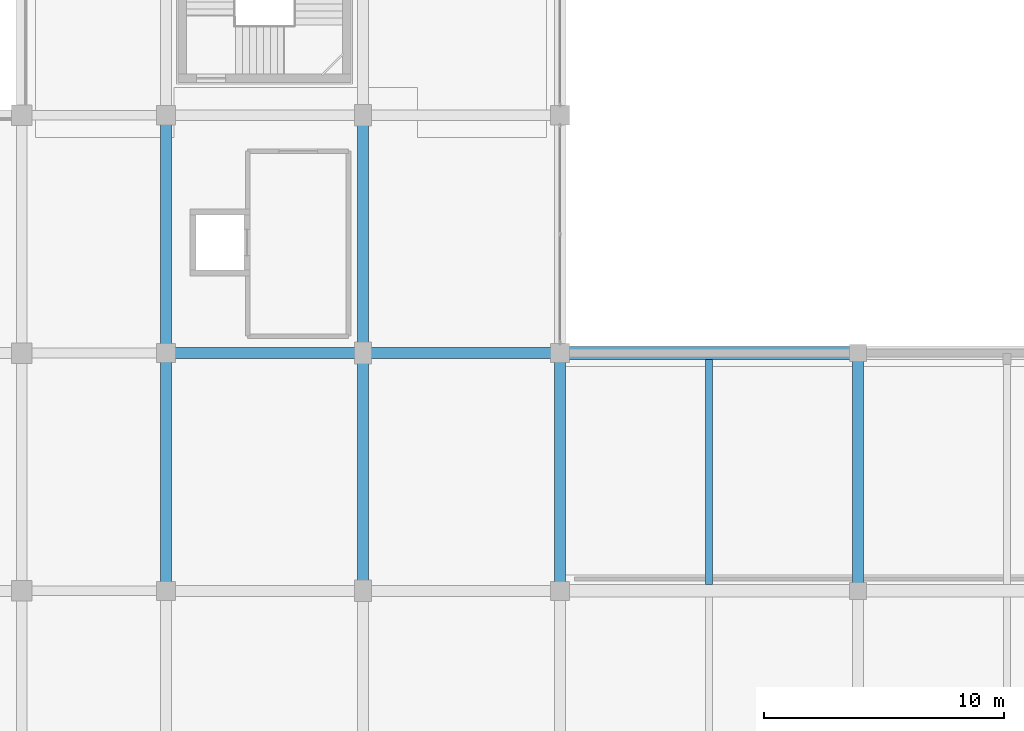
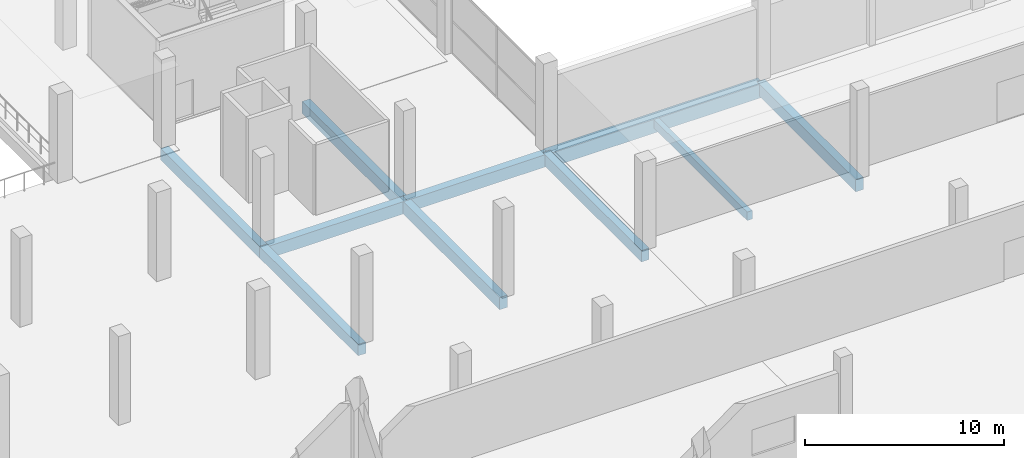
# One storey, part 9 of 74: 10 beams.
"""IFC4 building model written with IfcOpenShell, lengths in metres."""

import ifcopenshell
import ifcopenshell.guid

model = None  # the IFC model being written
_history = None  # IfcOwnerHistory: only IFC2X3 demands one
_inside = {}  # id of a spatial element -> (the spatial element, [elements in it])
_under = {}  # id of a project, library or spatial element -> (it, [spatial elements below it])
_declared = {}  # id of a project -> (the project, [libraries it declares])
_typed = {}  # id of a type object -> (the type object, [elements of that type])
_made_of = {}  # id of a material, layer set ... -> (it, [elements and type objects made of it])


def new_model(schema):
    """Start an empty IFC model of exactly this schema.

    Asked for "IFC4X3", IfcOpenShell would pick the latest addendum, in which some entities
    have other attributes; the version numbers below select the first issue.
    IFC2X3 requires an IfcOwnerHistory on every rooted entity: one is made here for all.
    """
    global model, _history
    if schema == "IFC4X3":
        model = ifcopenshell.file(schema_version=(4, 3, 0, 0))
    else:
        model = ifcopenshell.file(schema=schema)
    _inside.clear()
    _under.clear()
    _declared.clear()
    _typed.clear()
    _made_of.clear()
    _history = None
    if model.schema == "IFC2X3":
        org = make("IfcOrganization", Name="unknown")
        user = make(
            "IfcPersonAndOrganization",
            ThePerson=make("IfcPerson", FamilyName="unknown"),
            TheOrganization=org,
        )
        app = make(
            "IfcApplication",
            ApplicationDeveloper=org,
            Version="unknown",
            ApplicationFullName="unknown",
            ApplicationIdentifier="unknown",
        )
        _history = make(
            "IfcOwnerHistory",
            OwningUser=user,
            OwningApplication=app,
            ChangeAction="ADDED",
            CreationDate=0,
        )
    return model


def make(cls, **values):
    """One entity of the class cls with the attributes given. An attribute that is None is left unset."""
    return model.create_entity(
        cls, **{name: value for name, value in values.items() if value is not None}
    )


def rooted(cls, **values):
    """An entity with a GlobalId (a new one), such as an element, a storey or a relation."""
    return make(cls, GlobalId=ifcopenshell.guid.new(), OwnerHistory=_history, **values)


def si_unit(unit_type, name, prefix=None):
    """IfcSIUnit, for example si_unit("LENGTHUNIT", "METRE", prefix="MILLI")."""
    return make("IfcSIUnit", UnitType=unit_type, Prefix=prefix, Name=name)


def assignment(units):
    """IfcUnitAssignment: the units of a project."""
    return None if units is None else make("IfcUnitAssignment", Units=units)


def point(xyz):
    """IfcCartesianPoint."""
    return None if xyz is None else make("IfcCartesianPoint", Coordinates=xyz)


def direction(xyz):
    """IfcDirection."""
    return None if xyz is None else make("IfcDirection", DirectionRatios=xyz)


def frame(location, z_axis=None, x_axis=None):
    """IfcAxis2Placement3D, a coordinate frame: its origin and axes. An axis left out is left unset."""
    return make(
        "IfcAxis2Placement3D",
        Location=point(location),
        Axis=direction(z_axis),
        RefDirection=direction(x_axis),
    )


def frame_2d(location, x_axis=None):
    """IfcAxis2Placement2D, a coordinate frame in the plane: its origin and x axis."""
    return make(
        "IfcAxis2Placement2D", Location=point(location), RefDirection=direction(x_axis)
    )


def origin():
    """The frame at (0, 0, 0) with its axes left unset."""
    return frame((0.0, 0.0, 0.0))


def origin_2d():
    """The frame at (0, 0) in the plane with its x axis left unset."""
    return frame_2d((0.0, 0.0))


def place(relative_to, where):
    """IfcLocalPlacement: puts the frame where relative to a parent placement (None: the world)."""
    return make(
        "IfcLocalPlacement", PlacementRelTo=relative_to, RelativePlacement=where
    )


def context(
    kind, dimensions, precision=None, world=None, true_north=None, identifier=None
):
    """IfcGeometricRepresentationContext, for example the 3D "Model" context."""
    return make(
        "IfcGeometricRepresentationContext",
        ContextIdentifier=identifier,
        ContextType=kind,
        CoordinateSpaceDimension=dimensions,
        Precision=precision,
        WorldCoordinateSystem=world,
        TrueNorth=true_north,
    )


def subcontext(parent, identifier, kind, view, scale=None):
    """IfcGeometricRepresentationSubContext, for example "Body" below "Model"."""
    return make(
        "IfcGeometricRepresentationSubContext",
        ContextIdentifier=identifier,
        ContextType=kind,
        ParentContext=parent,
        TargetScale=scale,
        TargetView=view,
    )


def project(units=None, contexts=None):
    """IfcProject with its units and contexts."""
    return rooted(
        "IfcProject",
        Name="project",
        RepresentationContexts=contexts,
        UnitsInContext=assignment(units),
    )


def spatial(cls, under=None, at=None, **own):
    """A site, building, storey or space (cls), placed at a placement, below another one or the project."""
    s = rooted(cls, ObjectPlacement=at, **own)
    if under is not None:
        _under.setdefault(under.id(), (under, []))[1].append(s)
    return s


def profile(cls, at=None, kind="AREA", **sizes):
    """A parametric profile (cls). Its sizes go by their IFC names, for example OverallWidth=200.0."""
    return make(cls, ProfileType=kind, Position=at, **sizes)


def rectangle(**sizes):
    """IfcRectangleProfileDef."""
    return profile("IfcRectangleProfileDef", **sizes)


def extrude(swept, where, along, depth):
    """IfcExtrudedAreaSolid: the profile swept, set in the frame where, extruded along a direction by depth."""
    return make(
        "IfcExtrudedAreaSolid",
        SweptArea=swept,
        Position=where,
        ExtrudedDirection=direction(along),
        Depth=depth,
    )


def shape(context_of_items, identifier, shape_type, items):
    """IfcShapeRepresentation: the items that make up one representation, for example the "Body"."""
    return make(
        "IfcShapeRepresentation",
        ContextOfItems=context_of_items,
        RepresentationIdentifier=identifier,
        RepresentationType=shape_type,
        Items=items,
    )


def material(Name=None, Category=None):
    """IfcMaterial."""
    return make("IfcMaterial", Name=Name, Category=Category)


def material_profile(
    of_material, cross_section, Name=None, Category=None, Priority=None
):
    """IfcMaterialProfile: a cross section and its material."""
    return make(
        "IfcMaterialProfile",
        Name=Name,
        Material=of_material,
        Profile=cross_section,
        Priority=Priority,
        Category=Category,
    )


def profile_set(profiles, Name=None, composite=None):
    """IfcMaterialProfileSet."""
    return make(
        "IfcMaterialProfileSet",
        Name=Name,
        MaterialProfiles=profiles,
        CompositeProfile=composite,
    )


def made_of(thing, what):
    """Note that an element or type object is made of a material, layer set ...; save() writes the relation."""
    if what is not None:
        _made_of.setdefault(what.id(), (what, []))[1].append(thing)
    return thing


def type_object(cls, material=None, **own):
    """A type object (cls), such as IfcWallType, which elements share."""
    return made_of(rooted(cls, **own), material)


def element(
    cls,
    number,
    at=None,
    inside=None,
    cuts=None,
    type_object=None,
    material=None,
    context=None,
    identifier="Body",
    shape_type=None,
    held_by="IfcProductDefinitionShape",
    body=None,
    shapes=None,
    **own,
):
    """One element of the class cls, such as IfcWall. Its Tag is "e" and its number.

    at: its placement. inside: the storey or other place that contains it. cuts: it is an
    opening in that element (IfcRelVoidsElement). A single representation is given by context,
    identifier, shape_type and body (its items); several are given by shapes. held_by: the class
    of the entity that holds the representations. save() writes the other relations.
    """
    e = rooted(cls, Tag="e%d" % number, ObjectPlacement=at, **own)
    if body is not None:
        shapes = [shape(context, identifier, shape_type, body)]
    if shapes is not None:
        e.Representation = make(held_by, Representations=shapes)
    if inside is not None:
        _inside.setdefault(inside.id(), (inside, []))[1].append(e)
    if cuts is not None:
        rooted(
            "IfcRelVoidsElement", RelatingBuildingElement=cuts, RelatedOpeningElement=e
        )
    if type_object is not None:
        _typed.setdefault(type_object.id(), (type_object, []))[1].append(e)
    return made_of(e, material)


def aggregate(whole, parts):
    """IfcRelAggregates: a whole, such as a stair, and the parts it consists of."""
    return rooted("IfcRelAggregates", RelatingObject=whole, RelatedObjects=parts)


def save(model, path):
    """Write the relations noted so far, then the file.

    IfcRelAggregates (storeys below a building ...), IfcRelContainedInSpatialStructure (elements
    in a storey), IfcRelDefinesByType, IfcRelAssociatesMaterial and IfcRelDeclares: one each for
    every whole, place, type object, material and project.
    """
    for whole, parts in _under.values():
        aggregate(whole, parts)
    for where, things in _inside.values():
        rooted(
            "IfcRelContainedInSpatialStructure",
            RelatedElements=things,
            RelatingStructure=where,
        )
    for kind, things in _typed.values():
        rooted("IfcRelDefinesByType", RelatedObjects=things, RelatingType=kind)
    for what, things in _made_of.values():
        rooted("IfcRelAssociatesMaterial", RelatedObjects=things, RelatingMaterial=what)
    for by, libraries in _declared.values():
        rooted("IfcRelDeclares", RelatingContext=by, RelatedDefinitions=libraries)
    model.write(path)


model = new_model("IFC4")

# Units and contexts
model_context = context("Model", 3, precision=1e-05, world=origin(), true_north=direction((0.0, 1.0)))
body_context = subcontext(model_context, "Body", "Model", "MODEL_VIEW")
ifc_project = project(units=[si_unit("LENGTHUNIT", "METRE"), si_unit("AREAUNIT", "SQUARE_METRE"), si_unit("VOLUMEUNIT", "CUBIC_METRE"), si_unit("PLANEANGLEUNIT", "RADIAN"), si_unit("MASSUNIT", "GRAM", prefix="KILO")], contexts=[model_context])

# Site, building, storey
site_placement = place(None, origin())
site = spatial("IfcSite", under=ifc_project, at=site_placement, CompositionType="ELEMENT")
building_placement = place(site_placement, origin())
building = spatial("IfcBuilding", under=site, at=building_placement, Name="Sillaruma Civic Art Gallery", CompositionType="ELEMENT")
storey_placement = place(building_placement, frame((0.0, 0.0, 5.43994140625)))
storey = spatial("IfcBuildingStorey", under=building, at=storey_placement, Name="L01", CompositionType="ELEMENT", Elevation=5.43994140625)

# Beams
ifc_material_1 = material(Name="Concrete H40 (40 MPa)", Category="concrete")
ifc_material_profile_1 = material_profile(ifc_material_1, rectangle(XDim=0.449951171875, YDim=0.75, at=origin_2d()), Name="RCB450x750")
ifc_profile_set_1 = profile_set([ifc_material_profile_1], Name="Concrete H40 (40 MPa)")
beam_type_1 = type_object("IfcBeamType", Name="BM-BEAM-RCB450x750", PredefinedType="BEAM", material=ifc_profile_set_1)
for number, where, z_axis, x_axis, name in (
    (1, (98.0, 39.60009765625, -0.635009765625), (1.0, 0.0, 0.0), (0.0, 1.0, 0.0), "Beam BM-03 (L00:5:L-M)"),
    (2, (106.199951171875, 39.60009765625, -0.635009765625), (1.0, 0.0, 0.0), (0.0, 1.0, 0.0), "Beam BM-03 (L00:5:M-N)"),
):
    element("IfcBeam", number, at=place(storey_placement, frame(where, z_axis=z_axis, x_axis=x_axis)), inside=storey, type_object=beam_type_1, Name=name, PredefinedType="BEAM", context=body_context, shape_type="SweptSolid", body=[
        extrude(rectangle(XDim=0.449951171875, YDim=0.75, at=origin_2d()), origin(), (0.0, 0.0, 1.0), 8.199951171875),
    ])
beam_1_placement = place(storey_placement, frame((106.199951171875, 29.699951171875, -0.635009765625), z_axis=(0.0, 1.0, 0.0), x_axis=(-1.0, 0.0, 0.0)))
element("IfcBeam", 3, at=beam_1_placement, inside=storey, type_object=beam_type_1, Name="Beam BM-03 (L00:M:4-5)", PredefinedType="BEAM", context=body_context, shape_type="SweptSolid", body=[
    extrude(rectangle(XDim=0.449951171875, YDim=0.75, at=origin_2d()), origin(), (0.0, 0.0, 1.0), 9.900146484375),
])
beam_2_placement = place(storey_placement, frame((106.199951171875, 39.60009765625, -0.635009765625), z_axis=(0.0, 1.0, 0.0), x_axis=(-1.0, 0.0, 0.0)))
element("IfcBeam", 4, at=beam_2_placement, inside=storey, type_object=beam_type_1, Name="Beam BM-03 (L00:M:5-6)", PredefinedType="BEAM", context=body_context, shape_type="SweptSolid", body=[
    extrude(rectangle(XDim=0.449951171875, YDim=0.75, at=origin_2d()), origin(), (0.0, 0.0, 1.0), 9.89990234375),
])
beam_3_placement = place(storey_placement, frame((126.800048828125, 29.699951171875, -0.635009765625), z_axis=(0.0, 1.0, 0.0), x_axis=(-1.0, 0.0, 0.0)))
element("IfcBeam", 5, at=beam_3_placement, inside=storey, type_object=beam_type_1, Name="Beam BM-03 (L00:P:4-5)", PredefinedType="BEAM", context=body_context, shape_type="SweptSolid", body=[
    extrude(rectangle(XDim=0.449951171875, YDim=0.75, at=origin_2d()), origin(), (0.0, 0.0, 1.0), 9.900146484375),
])
ifc_material_profile_2 = material_profile(ifc_material_1, rectangle(XDim=0.550048828125, YDim=0.85009765625, at=origin_2d()), Name="RCB550x850")
ifc_profile_set_2 = profile_set([ifc_material_profile_2], Name="Concrete H40 (40 MPa)")
beam_type_2 = type_object("IfcBeamType", Name="BM-BEAM-RCB550x850", PredefinedType="BEAM", material=ifc_profile_set_2)
beam_4_placement = place(storey_placement, frame((114.39990234375, 39.60009765625, -0.68505859375), z_axis=(1.0, 0.0, 0.0), x_axis=(0.0, 1.0, 0.0)))
element("IfcBeam", 6, at=beam_4_placement, inside=storey, type_object=beam_type_2, Name="Beam BM-01 (L00:5:N-P)", PredefinedType="BEAM", context=body_context, shape_type="SweptSolid", body=[
    extrude(rectangle(XDim=0.550048828125, YDim=0.85009765625, at=origin_2d()), origin(), (0.0, 0.0, 1.0), 12.400146484375),
])
ifc_material_2 = material(Name="Concrete H35 (35 MPa)", Category="concrete")
ifc_material_profile_3 = material_profile(ifc_material_2, rectangle(XDim=0.300048828125, YDim=0.52001953125, at=origin_2d()), Name="RCB300x520")
ifc_profile_set_3 = profile_set([ifc_material_profile_3], Name="Concrete H35 (35 MPa)")
beam_type_3 = type_object("IfcBeamType", Name="BM-JOIST-RCB300x520", PredefinedType="JOIST", material=ifc_profile_set_3)
beam_5_placement = place(storey_placement, frame((120.60009765625, 29.9599609375, -0.52001953125), z_axis=(0.0, 1.0, 0.0), x_axis=(-1.0, 0.0, 0.0)))
element("IfcBeam", 7, at=beam_5_placement, inside=storey, type_object=beam_type_3, Name="Floor Joist JR-01 (L00:NP:4-5)", PredefinedType="JOIST", context=body_context, shape_type="SweptSolid", body=[
    extrude(rectangle(XDim=0.300048828125, YDim=0.52001953125, at=origin_2d()), origin(), (0.0, 0.0, 1.0), 9.364990234375),
])
ifc_material_profile_4 = material_profile(ifc_material_2, rectangle(XDim=0.449951171875, YDim=0.699951171875, at=origin_2d()), Name="RCB450x700")
ifc_profile_set_4 = profile_set([ifc_material_profile_4], Name="Concrete H35 (35 MPa)")
beam_type_4 = type_object("IfcBeamType", Name="BM-SPANDREL-RCB450x700", PredefinedType="SPANDREL", material=ifc_profile_set_4)
beam_6_placement = place(storey_placement, frame((98.0, 29.699951171875, -0.60986328125), z_axis=(0.0, 1.0, 0.0), x_axis=(-1.0, 0.0, 0.0)))
element("IfcBeam", 8, at=beam_6_placement, inside=storey, type_object=beam_type_4, Name="Beam BS-03 (L00:L:4-5)", PredefinedType="SPANDREL", context=body_context, shape_type="SweptSolid", body=[
    extrude(rectangle(XDim=0.449951171875, YDim=0.699951171875, at=origin_2d()), origin(), (0.0, 0.0, 1.0), 9.900146484375),
])
beam_7_placement = place(storey_placement, frame((98.0, 39.60009765625, -0.60986328125), z_axis=(0.0, 1.0, 0.0), x_axis=(-1.0, 0.0, 0.0)))
element("IfcBeam", 9, at=beam_7_placement, inside=storey, type_object=beam_type_4, Name="Beam BS-03 (L00:L:5-6)", PredefinedType="SPANDREL", context=body_context, shape_type="SweptSolid", body=[
    extrude(rectangle(XDim=0.449951171875, YDim=0.699951171875, at=origin_2d()), origin(), (0.0, 0.0, 1.0), 9.89990234375),
])
beam_8_placement = place(storey_placement, frame((114.39990234375, 29.699951171875, -0.60986328125), z_axis=(0.0, 1.0, 0.0), x_axis=(-1.0, 0.0, 0.0)))
element("IfcBeam", 10, at=beam_8_placement, inside=storey, type_object=beam_type_4, Name="Beam BS-03 (L00:N:4-5)", PredefinedType="SPANDREL", context=body_context, shape_type="SweptSolid", body=[
    extrude(rectangle(XDim=0.449951171875, YDim=0.699951171875, at=origin_2d()), origin(), (0.0, 0.0, 1.0), 9.900146484375),
])

save(model, "model.ifc")
